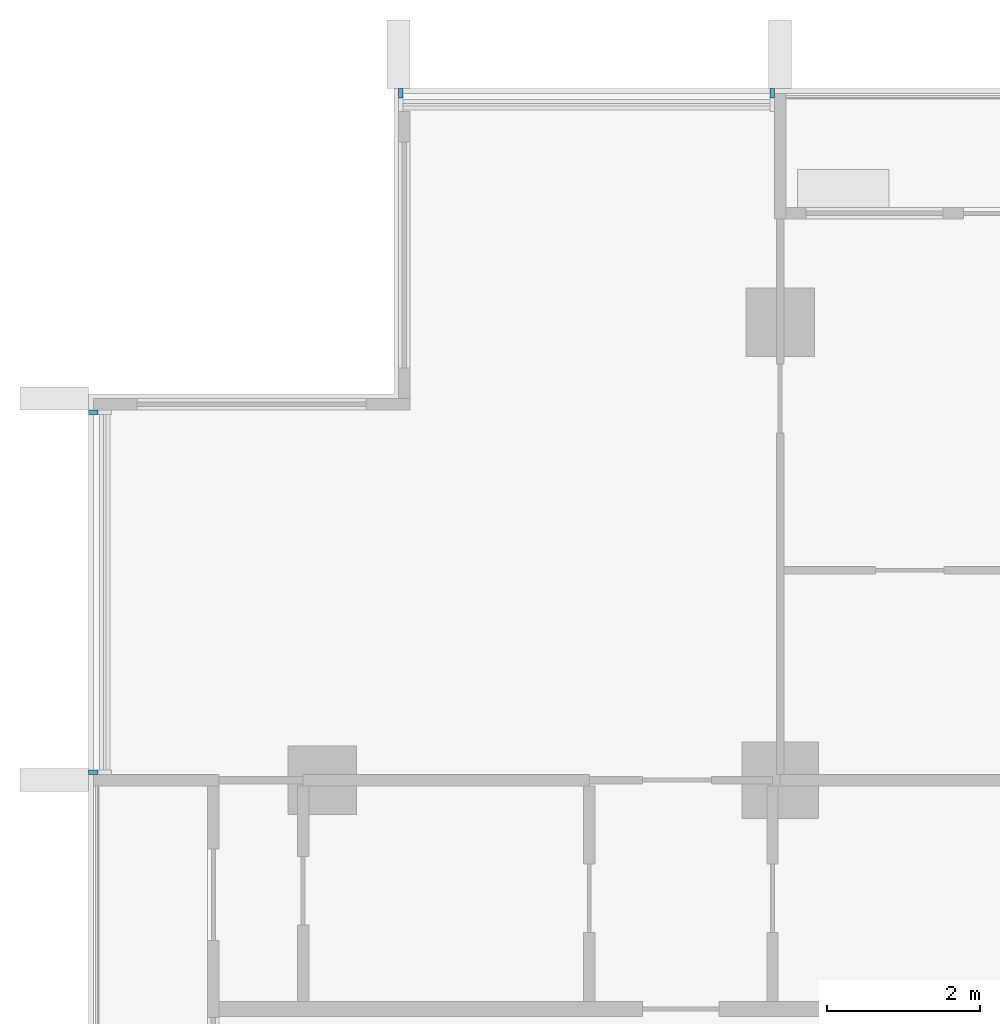
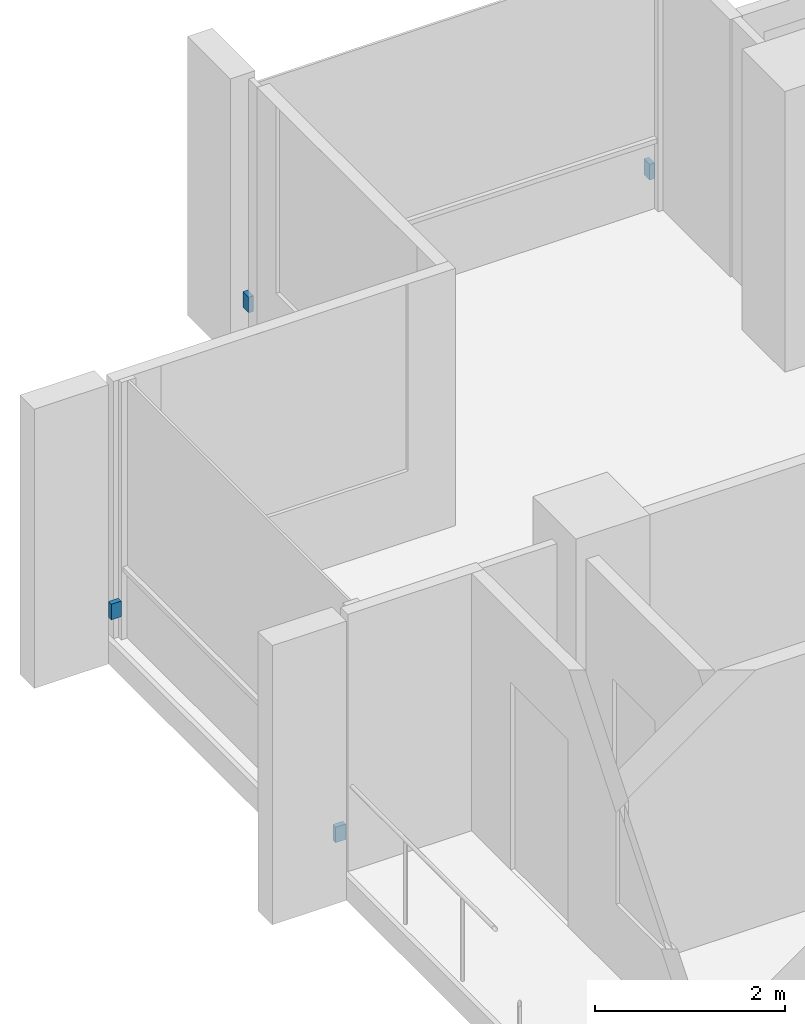
# One storey, part 15 of 17: 4 discrete accessories.
"""IFC4 building model written with IfcOpenShell, lengths in metres."""

import ifcopenshell
import ifcopenshell.guid

model = None  # the IFC model being written
_history = None  # IfcOwnerHistory: only IFC2X3 demands one
_inside = {}  # id of a spatial element -> (the spatial element, [elements in it])
_under = {}  # id of a project, library or spatial element -> (it, [spatial elements below it])
_declared = {}  # id of a project -> (the project, [libraries it declares])
_typed = {}  # id of a type object -> (the type object, [elements of that type])
_made_of = {}  # id of a material, layer set ... -> (it, [elements and type objects made of it])


def new_model(schema):
    """Start an empty IFC model of exactly this schema.

    Asked for "IFC4X3", IfcOpenShell would pick the latest addendum, in which some entities
    have other attributes; the version numbers below select the first issue.
    IFC2X3 requires an IfcOwnerHistory on every rooted entity: one is made here for all.
    """
    global model, _history
    if schema == "IFC4X3":
        model = ifcopenshell.file(schema_version=(4, 3, 0, 0))
    else:
        model = ifcopenshell.file(schema=schema)
    _inside.clear()
    _under.clear()
    _declared.clear()
    _typed.clear()
    _made_of.clear()
    _history = None
    if model.schema == "IFC2X3":
        org = make("IfcOrganization", Name="unknown")
        user = make(
            "IfcPersonAndOrganization",
            ThePerson=make("IfcPerson", FamilyName="unknown"),
            TheOrganization=org,
        )
        app = make(
            "IfcApplication",
            ApplicationDeveloper=org,
            Version="unknown",
            ApplicationFullName="unknown",
            ApplicationIdentifier="unknown",
        )
        _history = make(
            "IfcOwnerHistory",
            OwningUser=user,
            OwningApplication=app,
            ChangeAction="ADDED",
            CreationDate=0,
        )
    return model


def make(cls, **values):
    """One entity of the class cls with the attributes given. An attribute that is None is left unset."""
    return model.create_entity(
        cls, **{name: value for name, value in values.items() if value is not None}
    )


def rooted(cls, **values):
    """An entity with a GlobalId (a new one), such as an element, a storey or a relation."""
    return make(cls, GlobalId=ifcopenshell.guid.new(), OwnerHistory=_history, **values)


def si_unit(unit_type, name, prefix=None):
    """IfcSIUnit, for example si_unit("LENGTHUNIT", "METRE", prefix="MILLI")."""
    return make("IfcSIUnit", UnitType=unit_type, Prefix=prefix, Name=name)


def assignment(units):
    """IfcUnitAssignment: the units of a project."""
    return None if units is None else make("IfcUnitAssignment", Units=units)


def point(xyz):
    """IfcCartesianPoint."""
    return None if xyz is None else make("IfcCartesianPoint", Coordinates=xyz)


def direction(xyz):
    """IfcDirection."""
    return None if xyz is None else make("IfcDirection", DirectionRatios=xyz)


def frame(location, z_axis=None, x_axis=None):
    """IfcAxis2Placement3D, a coordinate frame: its origin and axes. An axis left out is left unset."""
    return make(
        "IfcAxis2Placement3D",
        Location=point(location),
        Axis=direction(z_axis),
        RefDirection=direction(x_axis),
    )


def frame_2d(location, x_axis=None):
    """IfcAxis2Placement2D, a coordinate frame in the plane: its origin and x axis."""
    return make(
        "IfcAxis2Placement2D", Location=point(location), RefDirection=direction(x_axis)
    )


def origin():
    """The frame at (0, 0, 0) with its axes left unset."""
    return frame((0.0, 0.0, 0.0))


def origin_2d():
    """The frame at (0, 0) in the plane with its x axis left unset."""
    return frame_2d((0.0, 0.0))


def place(relative_to, where):
    """IfcLocalPlacement: puts the frame where relative to a parent placement (None: the world)."""
    return make(
        "IfcLocalPlacement", PlacementRelTo=relative_to, RelativePlacement=where
    )


def context(
    kind, dimensions, precision=None, world=None, true_north=None, identifier=None
):
    """IfcGeometricRepresentationContext, for example the 3D "Model" context."""
    return make(
        "IfcGeometricRepresentationContext",
        ContextIdentifier=identifier,
        ContextType=kind,
        CoordinateSpaceDimension=dimensions,
        Precision=precision,
        WorldCoordinateSystem=world,
        TrueNorth=true_north,
    )


def subcontext(parent, identifier, kind, view, scale=None):
    """IfcGeometricRepresentationSubContext, for example "Body" below "Model"."""
    return make(
        "IfcGeometricRepresentationSubContext",
        ContextIdentifier=identifier,
        ContextType=kind,
        ParentContext=parent,
        TargetScale=scale,
        TargetView=view,
    )


def project(units=None, contexts=None):
    """IfcProject with its units and contexts."""
    return rooted(
        "IfcProject",
        Name="project",
        RepresentationContexts=contexts,
        UnitsInContext=assignment(units),
    )


def spatial(cls, under=None, at=None, **own):
    """A site, building, storey or space (cls), placed at a placement, below another one or the project."""
    s = rooted(cls, ObjectPlacement=at, **own)
    if under is not None:
        _under.setdefault(under.id(), (under, []))[1].append(s)
    return s


def profile(cls, at=None, kind="AREA", **sizes):
    """A parametric profile (cls). Its sizes go by their IFC names, for example OverallWidth=200.0."""
    return make(cls, ProfileType=kind, Position=at, **sizes)


def rectangle(**sizes):
    """IfcRectangleProfileDef."""
    return profile("IfcRectangleProfileDef", **sizes)


def extrude(swept, where, along, depth):
    """IfcExtrudedAreaSolid: the profile swept, set in the frame where, extruded along a direction by depth."""
    return make(
        "IfcExtrudedAreaSolid",
        SweptArea=swept,
        Position=where,
        ExtrudedDirection=direction(along),
        Depth=depth,
    )


def shape(context_of_items, identifier, shape_type, items):
    """IfcShapeRepresentation: the items that make up one representation, for example the "Body"."""
    return make(
        "IfcShapeRepresentation",
        ContextOfItems=context_of_items,
        RepresentationIdentifier=identifier,
        RepresentationType=shape_type,
        Items=items,
    )


def material(Name=None, Category=None):
    """IfcMaterial."""
    return make("IfcMaterial", Name=Name, Category=Category)


def made_of(thing, what):
    """Note that an element or type object is made of a material, layer set ...; save() writes the relation."""
    if what is not None:
        _made_of.setdefault(what.id(), (what, []))[1].append(thing)
    return thing


def type_object(cls, material=None, **own):
    """A type object (cls), such as IfcWallType, which elements share."""
    return made_of(rooted(cls, **own), material)


def element(
    cls,
    number,
    at=None,
    inside=None,
    cuts=None,
    type_object=None,
    material=None,
    context=None,
    identifier="Body",
    shape_type=None,
    held_by="IfcProductDefinitionShape",
    body=None,
    shapes=None,
    **own,
):
    """One element of the class cls, such as IfcWall. Its Tag is "e" and its number.

    at: its placement. inside: the storey or other place that contains it. cuts: it is an
    opening in that element (IfcRelVoidsElement). A single representation is given by context,
    identifier, shape_type and body (its items); several are given by shapes. held_by: the class
    of the entity that holds the representations. save() writes the other relations.
    """
    e = rooted(cls, Tag="e%d" % number, ObjectPlacement=at, **own)
    if body is not None:
        shapes = [shape(context, identifier, shape_type, body)]
    if shapes is not None:
        e.Representation = make(held_by, Representations=shapes)
    if inside is not None:
        _inside.setdefault(inside.id(), (inside, []))[1].append(e)
    if cuts is not None:
        rooted(
            "IfcRelVoidsElement", RelatingBuildingElement=cuts, RelatedOpeningElement=e
        )
    if type_object is not None:
        _typed.setdefault(type_object.id(), (type_object, []))[1].append(e)
    return made_of(e, material)


def aggregate(whole, parts):
    """IfcRelAggregates: a whole, such as a stair, and the parts it consists of."""
    return rooted("IfcRelAggregates", RelatingObject=whole, RelatedObjects=parts)


def save(model, path):
    """Write the relations noted so far, then the file.

    IfcRelAggregates (storeys below a building ...), IfcRelContainedInSpatialStructure (elements
    in a storey), IfcRelDefinesByType, IfcRelAssociatesMaterial and IfcRelDeclares: one each for
    every whole, place, type object, material and project.
    """
    for whole, parts in _under.values():
        aggregate(whole, parts)
    for where, things in _inside.values():
        rooted(
            "IfcRelContainedInSpatialStructure",
            RelatedElements=things,
            RelatingStructure=where,
        )
    for kind, things in _typed.values():
        rooted("IfcRelDefinesByType", RelatedObjects=things, RelatingType=kind)
    for what, things in _made_of.values():
        rooted("IfcRelAssociatesMaterial", RelatedObjects=things, RelatingMaterial=what)
    for by, libraries in _declared.values():
        rooted("IfcRelDeclares", RelatingContext=by, RelatedDefinitions=libraries)
    model.write(path)


model = new_model("IFC4")

# Units and contexts
model_context = context("Model", 3, precision=1e-05, world=origin(), true_north=direction((0.0, 1.0)))
body_context = subcontext(model_context, "Body", "Model", "MODEL_VIEW")
ifc_project = project(units=[si_unit("LENGTHUNIT", "METRE"), si_unit("AREAUNIT", "SQUARE_METRE"), si_unit("VOLUMEUNIT", "CUBIC_METRE"), si_unit("PLANEANGLEUNIT", "RADIAN"), si_unit("MASSUNIT", "GRAM", prefix="KILO")], contexts=[model_context])

# Site, building, storey
site_placement = place(None, origin())
site = spatial("IfcSite", under=ifc_project, at=site_placement, CompositionType="ELEMENT")
building_placement = place(site_placement, origin())
building = spatial("IfcBuilding", under=site, at=building_placement, Name="Finial Court Residences", CompositionType="ELEMENT")
storey_placement = place(building_placement, frame((0.0, 0.0, 152.89990234375)))
storey = spatial("IfcBuildingStorey", under=building, at=storey_placement, Name="L37", CompositionType="ELEMENT", Elevation=152.89990234375)

# Discrete accessories
ifc_material = material(Name="Stainless steel 316", Category="steel")
discrete_accessory_type = type_object("IfcDiscreteAccessoryType", Name="Fin bracket, stainless steel 60 x 122 x 200", PredefinedType="BRACKET", material=ifc_material)
for number, where, z_axis, x_axis, name in (
    (1, (-15.469970703125, 22.498779296875, 0.30029296875), (0.0, 0.0, 1.0), (1.0, 0.0, 0.0), "E-L37-FIN-N1-BRK"),
    (2, (-10.60498046875, 22.498779296875, 0.30029296875), (0.0, 0.0, 1.0), (1.0, 0.0, 0.0), "E-L37-FIN-N2-BRK"),
):
    element("IfcDiscreteAccessory", number, at=place(storey_placement, frame(where, z_axis=z_axis, x_axis=x_axis)), inside=storey, type_object=discrete_accessory_type, Name=name, PredefinedType="BRACKET", context=body_context, shape_type="SweptSolid", body=[
        extrude(rectangle(XDim=0.06005859375, YDim=0.12255859375, at=origin_2d()), origin(), (0.0, 0.0, 1.0), 0.199951171875),
    ])
for number, where, z_axis, x_axis, name in (
    (3, (-19.498779296875, 13.60498046875, 0.30029296875), (0.0, 0.0, 1.0), (1.0, 0.0, 0.0), "E-L37-FIN-W27-BRK"),
    (4, (-19.498779296875, 18.320068359375, 0.30029296875), (0.0, 0.0, 1.0), (1.0, 0.0, 0.0), "E-L37-FIN-W28-BRK"),
):
    element("IfcDiscreteAccessory", number, at=place(storey_placement, frame(where, z_axis=z_axis, x_axis=x_axis)), inside=storey, type_object=discrete_accessory_type, Name=name, PredefinedType="BRACKET", context=body_context, shape_type="SweptSolid", body=[
        extrude(rectangle(XDim=0.12255859375, YDim=0.06005859375, at=origin_2d()), origin(), (0.0, 0.0, 1.0), 0.199951171875),
    ])

save(model, "model.ifc")
